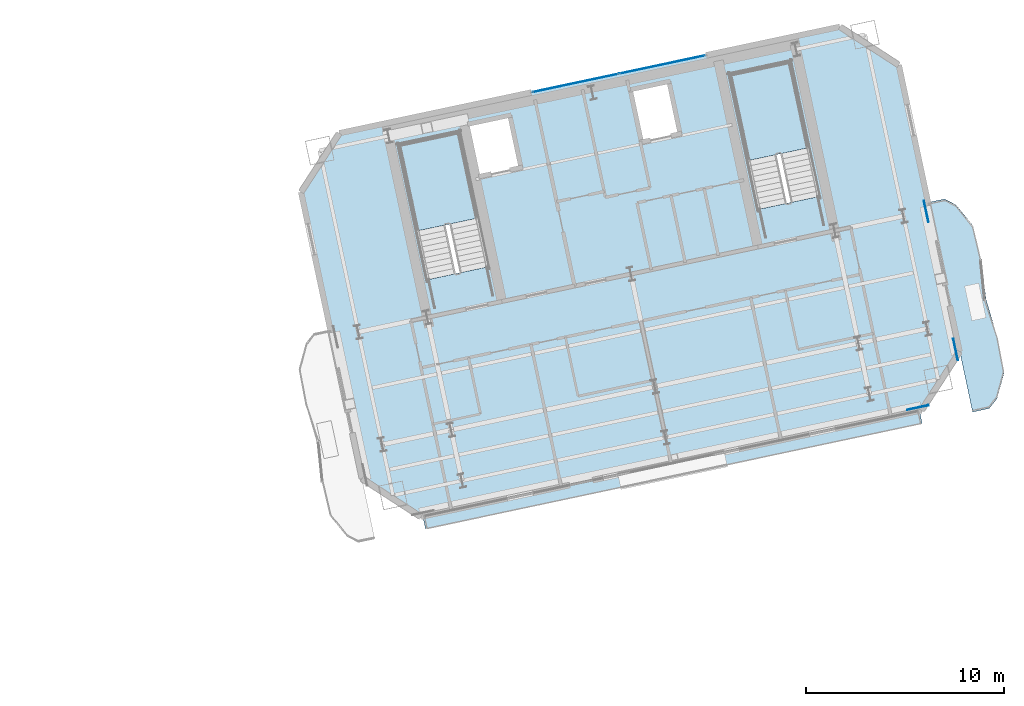
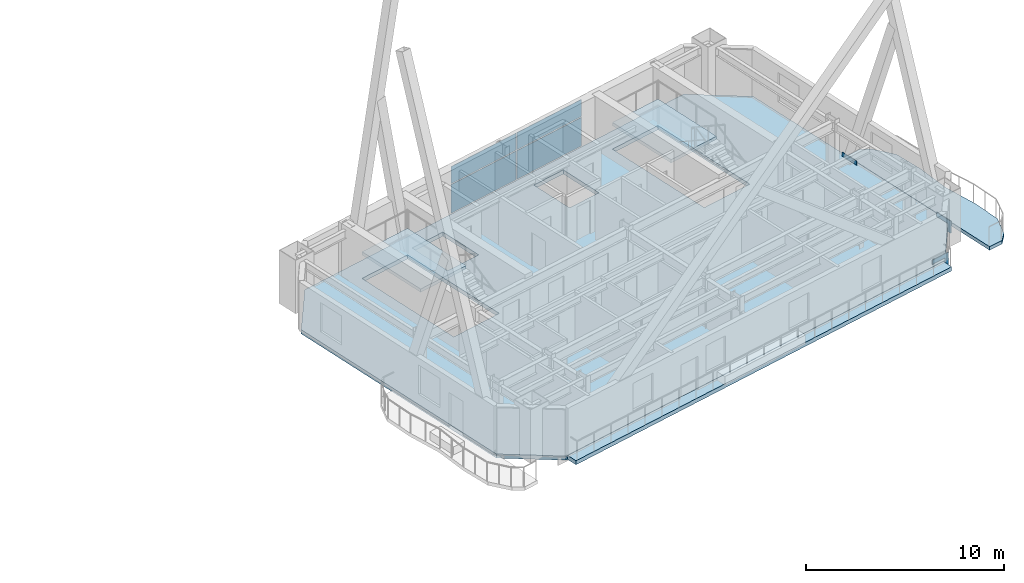
# One storey, part 9 of 20: 7 plates, 5 slabs, 3 elements without a shape of their own.
"""IFC4 building model written with IfcOpenShell, lengths in metres."""

from ifc_helpers import new_model, si_unit, direction, frame, origin, origin_2d, place, context, subcontext, project, spatial, polyline, rectangle, outline, extrude, material, layer, layer_set, type_object, element, aggregate, save


model = new_model("IFC4")

# Units and contexts
model_context = context("Model", 3, precision=1e-05, world=origin(), true_north=direction((0.0, 1.0)))
body_context = subcontext(model_context, "Body", "Model", "MODEL_VIEW")
ifc_project = project(units=[si_unit("LENGTHUNIT", "METRE"), si_unit("AREAUNIT", "SQUARE_METRE"), si_unit("VOLUMEUNIT", "CUBIC_METRE"), si_unit("PLANEANGLEUNIT", "RADIAN"), si_unit("MASSUNIT", "GRAM", prefix="KILO")], contexts=[model_context])

# Site, building, storey
site_placement = place(None, origin())
site = spatial("IfcSite", under=ifc_project, at=site_placement, CompositionType="ELEMENT")
building_placement = place(site_placement, origin())
building = spatial("IfcBuilding", under=site, at=building_placement, Name="Haevon Station Towers", CompositionType="ELEMENT")
storey_placement = place(building_placement, frame((0.0, 0.0, 175.800048828125)))
storey = spatial("IfcBuildingStorey", under=building, at=storey_placement, Name="L48", CompositionType="ELEMENT", Elevation=175.800048828125)

# Curtain wall, plates
ifc_material_1 = material(Name="Anodised aluminium and Low-E double glazing", Category="aluminium")
ifc_layer_1 = layer(ifc_material_1, 0.179931640625)
ifc_layer_set_1 = layer_set([ifc_layer_1], Name="Anodised aluminium and Low-E double glazing")
curtain_wall_type = type_object("IfcCurtainWallType", Name="CW-SYS5", PredefinedType="NOTDEFINED", material=ifc_layer_set_1)
curtain_wall_placement = place(storey_placement, origin())
curtain_wall = element("IfcCurtainWall", 1, at=curtain_wall_placement, inside=storey, type_object=curtain_wall_type, Name="L48 Curtain Wall CW-T2-L48-N", PredefinedType="NOTDEFINED")
ifc_material_2 = material(Name="Low-E double glazing", Category="glass")
ifc_layer_2 = layer(ifc_material_2, 0.028076171875)
ifc_layer_set_2 = layer_set([ifc_layer_2], Name="Low-E double glazing")
plate_type_1 = type_object("IfcPlateType", Name="CWP-GLZ28", PredefinedType="CURTAIN_PANEL", material=ifc_layer_set_2)
plate_1_placement = place(storey_placement, frame((106.224853515625, 49.254150390625, 0.06005859375), z_axis=(0.0, 0.0, 1.0), x_axis=(0.978147581095, 0.207911783211, 0.0)))
plate_1 = element("IfcPlate", 2, at=plate_1_placement, type_object=plate_type_1, Name="CW-SYS5 panel 1.1", PredefinedType="CURTAIN_PANEL", context=body_context, shape_type="SweptSolid", body=[
    extrude(rectangle(XDim=4.409912109375, YDim=0.028076171875, at=origin_2d()), origin(), (0.0, 0.0, 1.0), 1.77001953125),
])
plate_2_placement = place(storey_placement, frame((106.224853515625, 49.254150390625, 1.89013671875), z_axis=(0.0, 0.0, 1.0), x_axis=(0.978147581095, 0.207911783211, 0.0)))
plate_2 = element("IfcPlate", 3, at=plate_2_placement, type_object=plate_type_1, Name="CW-SYS5 panel 1.2", PredefinedType="CURTAIN_PANEL", context=body_context, shape_type="SweptSolid", body=[
    extrude(rectangle(XDim=4.409912109375, YDim=0.028076171875, at=origin_2d()), origin(), (0.0, 0.0, 1.0), 1.050048828125),
])
plate_3_placement = place(storey_placement, frame((110.59716796875, 50.18359375, 0.06005859375), z_axis=(0.0, 0.0, 1.0), x_axis=(0.978147581095, 0.207911783211, 0.0)))
plate_3 = element("IfcPlate", 4, at=plate_3_placement, type_object=plate_type_1, Name="CW-SYS5 panel 2.1", PredefinedType="CURTAIN_PANEL", context=body_context, shape_type="SweptSolid", body=[
    extrude(rectangle(XDim=4.409912109375, YDim=0.028076171875, at=origin_2d()), origin(), (0.0, 0.0, 1.0), 1.77001953125),
])
plate_4_placement = place(storey_placement, frame((110.59716796875, 50.18359375, 1.89013671875), z_axis=(0.0, 0.0, 1.0), x_axis=(0.978147581095, 0.207911783211, 0.0)))
plate_4 = element("IfcPlate", 5, at=plate_4_placement, type_object=plate_type_1, Name="CW-SYS5 panel 2.2", PredefinedType="CURTAIN_PANEL", context=body_context, shape_type="SweptSolid", body=[
    extrude(rectangle(XDim=4.409912109375, YDim=0.028076171875, at=origin_2d()), origin(), (0.0, 0.0, 1.0), 1.050048828125),
])
aggregate(curtain_wall, [plate_1, plate_2, plate_3, plate_4])

# Plates
ifc_material_3 = material(Name="PL-SPL1", Category="steel")
ifc_layer_3 = layer(ifc_material_3, 0.031982421875)
ifc_layer_set_3 = layer_set([ifc_layer_3], Name="PL-SPL1")
plate_type_2 = type_object("IfcPlateType", Name="PL-SPL1", PredefinedType="USERDEFINED", material=ifc_layer_set_3)
for number, where, z_axis, x_axis, name in (
    (6, (123.488037109375, 32.89599609375, -0.4951171875), (0.0, 0.0, 1.0), (0.978147600734, 0.207911690818, 0.0), "PL-T2SPL-T07-S-2"),
    (7, (125.390625, 35.825439453125, -0.4951171875), (0.0, 0.0, 1.0), (-0.207911690818, 0.978147600734, 0.0), "PL-T2SPL-T07-E-1"),
    (8, (123.910400390625, 42.789794921875, -0.4951171875), (0.0, 0.0, 1.0), (-0.207911690818, 0.978147600734, 0.0), "PL-T2SPL-T07-E-2"),
):
    element("IfcPlate", number, at=place(storey_placement, frame(where, z_axis=z_axis, x_axis=x_axis)), inside=storey, type_object=plate_type_2, Name=name, ObjectType="SPLICE_PLATE", PredefinedType="USERDEFINED", context=body_context, shape_type="SweptSolid", body=[
        extrude(rectangle(XDim=1.10009765625, YDim=0.031982421875, at=origin_2d()), origin(), (0.0, 0.0, 1.0), 0.75),
    ])

# Slab
ifc_material_4 = material(Name="Concrete C40/50", Category="concrete")
ifc_layer_4 = layer(ifc_material_4, 0.219970703125)
ifc_layer_set_4 = layer_set([ifc_layer_4], Name="Concrete C40/50")
slab_type_1 = type_object("IfcSlabType", Name="SL-BALC220", PredefinedType="FLOOR", material=ifc_layer_set_4)
slab_1_placement = place(storey_placement, frame((0.0, 0.0, -0.219970703125)))
element("IfcSlab", 9, at=slab_1_placement, inside=storey, type_object=slab_type_1, Name="Tower 2 L48 East SCALLOPED BALCONY", PredefinedType="FLOOR", context=body_context, shape_type="SweptSolid", body=[
    extrude(outline(polyline([(126.25048828125, 32.67041015625), (127.081787109375, 32.846923828125), (127.483642578125, 33.3525390625), (127.832763671875, 34.62353515625), (127.520751953125, 36.348388671875), (126.93359375, 38.336181640625), (126.661376953125, 40.390869140625), (126.2451171875, 42.093505859375), (125.4091796875, 43.112548828125), (124.83642578125, 43.4111328125), (124.0048828125, 43.234375), (126.25048828125, 32.67041015625)])), origin(), (0.0, 0.0, 1.0), 0.219970703125),
])

# Stair, slab
stair_type = type_object("IfcStairType", Name="STR-DL1450", PredefinedType="USERDEFINED", material=ifc_material_4)
stair_1_placement = place(storey_placement, origin())
stair_1 = element("IfcStair", 10, at=stair_1_placement, inside=storey, type_object=stair_type, Name="L48 Escape Stair ST3", ObjectType="TWO_RETURN_STAIR", PredefinedType="USERDEFINED")
ifc_layer_5 = layer(ifc_material_4, 0.199951171875)
ifc_layer_set_5 = layer_set([ifc_layer_5], Name="Concrete C40/50")
slab_type_2 = type_object("IfcSlabType", Name="SL-LND200", PredefinedType="LANDING", material=ifc_layer_set_5)
slab_2_placement = place(storey_placement, frame((0.0, 0.0, 1.449951171875)))
slab_2 = element("IfcSlab", 11, at=slab_2_placement, type_object=slab_type_2, Name="L48 ST3 Half Landing 1", PredefinedType="LANDING", context=body_context, shape_type="SweptSolid", body=[
    extrude(outline(polyline([(101.2880859375, 42.44287109375), (100.36572265625, 46.781982421875), (97.33349609375, 46.137451171875), (98.255859375, 41.79833984375), (101.2880859375, 42.44287109375)])), origin(), (0.0, 0.0, 1.0), 0.199951171875),
])
aggregate(stair_1, [slab_2])

stair_2_placement = place(storey_placement, origin())
stair_2 = element("IfcStair", 12, at=stair_2_placement, inside=storey, type_object=stair_type, Name="L48 Escape Stair ST4", ObjectType="TWO_RETURN_STAIR", PredefinedType="USERDEFINED")
slab_3_placement = place(storey_placement, frame((0.0, 0.0, 1.449951171875)))
slab_3 = element("IfcSlab", 13, at=slab_3_placement, type_object=slab_type_2, Name="L48 ST4 Half Landing 1", PredefinedType="LANDING", context=body_context, shape_type="SweptSolid", body=[
    extrude(outline(polyline([(117.975341796875, 45.989990234375), (117.052978515625, 50.328857421875), (114.020751953125, 49.684326171875), (114.943115234375, 45.345458984375), (117.975341796875, 45.989990234375)])), origin(), (0.0, 0.0, 1.0), 0.199951171875),
])
aggregate(stair_2, [slab_3])

# Slabs
ifc_layer_6 = layer(ifc_material_4, 0.25)
ifc_layer_set_6 = layer_set([ifc_layer_6], Name="Concrete C40/50")
slab_type_3 = type_object("IfcSlabType", Name="SL-TERR250", PredefinedType="FLOOR", material=ifc_layer_set_6)
slab_4_placement = place(storey_placement, frame((0.0, 0.0, -0.25)))
element("IfcSlab", 14, at=slab_4_placement, inside=storey, type_object=slab_type_3, Name="Tower 2 L48 Sky Garden Terrace", PredefinedType="FLOOR", context=body_context, shape_type="SweptSolid", body=[
    extrude(outline(polyline([(98.6669921875, 26.78173828125), (123.70751953125, 32.104248046875), (123.575439453125, 32.725341796875), (98.534912109375, 27.40283203125), (98.6669921875, 26.78173828125)])), origin(), (0.0, 0.0, 1.0), 0.25),
])
ifc_layer_7 = layer(ifc_material_4, 0.25)
ifc_layer_set_7 = layer_set([ifc_layer_7], Name="Concrete C40/50")
slab_type_4 = type_object("IfcSlabType", Name="SL-TW250", PredefinedType="FLOOR", material=ifc_layer_set_7)
slab_5_placement = place(storey_placement, frame((0.0, 0.0, -0.25)))
element("IfcSlab", 15, at=slab_5_placement, inside=storey, type_object=slab_type_4, Name="SL-T2-L48", PredefinedType="FLOOR", context=body_context, shape_type="SweptSolid", body=[
    extrude(outline(polyline([(98.43603515625, 27.386962890625), (123.67236328125, 32.7509765625), (125.597900390625, 35.71630859375), (122.527099609375, 50.163330078125), (119.561767578125, 52.089111328125), (94.32568359375, 46.724853515625), (92.400146484375, 43.759765625), (95.470947265625, 29.3125), (98.43603515625, 27.386962890625)]), holes=[polyline([(101.8095703125, 39.98974609375), (100.36572265625, 46.781982421875), (97.33349609375, 46.137451171875), (98.77734375, 39.34521484375), (101.8095703125, 39.98974609375)]), polyline([(118.496826171875, 43.53662109375), (117.052978515625, 50.328857421875), (114.020751953125, 49.684326171875), (115.464599609375, 42.89208984375), (118.496826171875, 43.53662109375)]), polyline([(101.43212890625, 44.554931640625), (103.486328125, 44.99169921875), (102.9248046875, 47.632568359375), (100.870849609375, 47.196044921875), (101.43212890625, 44.554931640625)]), polyline([(109.55078125, 46.28076171875), (111.507080078125, 46.696533203125), (110.94580078125, 49.33740234375), (108.989501953125, 48.921630859375), (109.55078125, 46.28076171875)])]), origin(), (0.0, 0.0, 1.0), 0.25),
])

save(model, "model.ifc")
